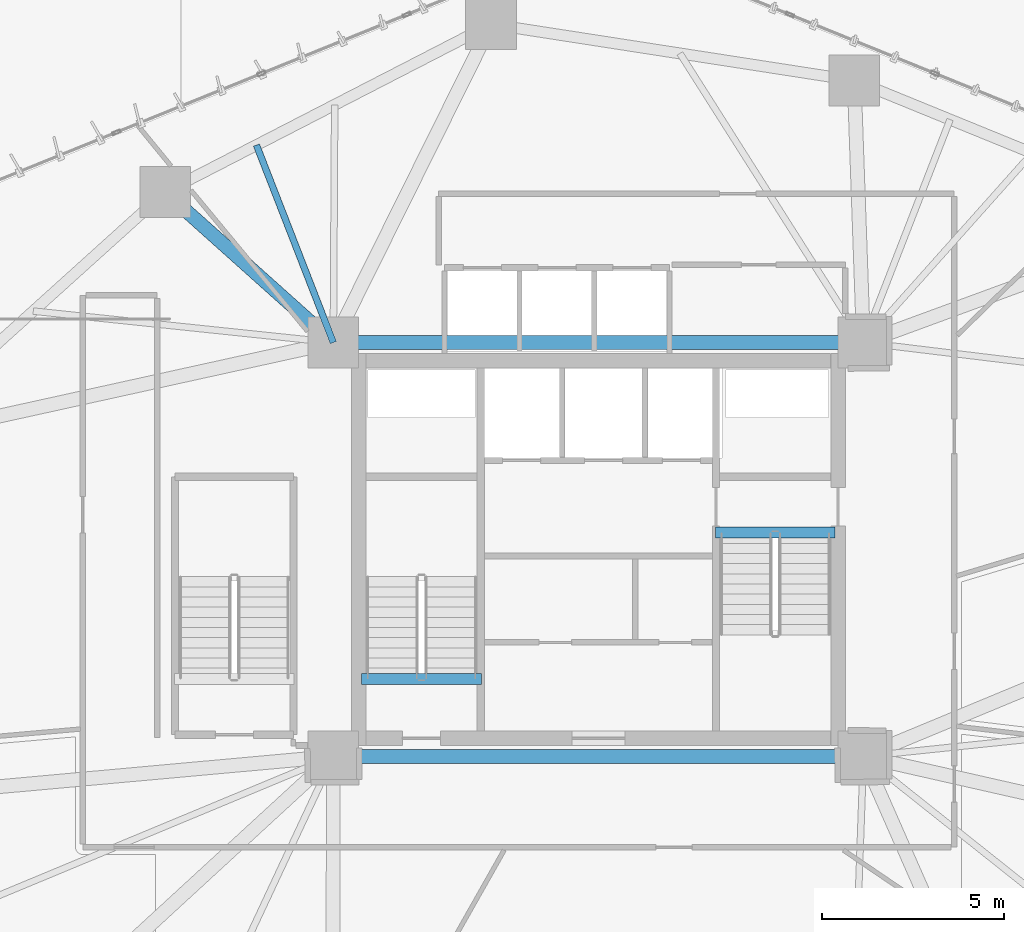
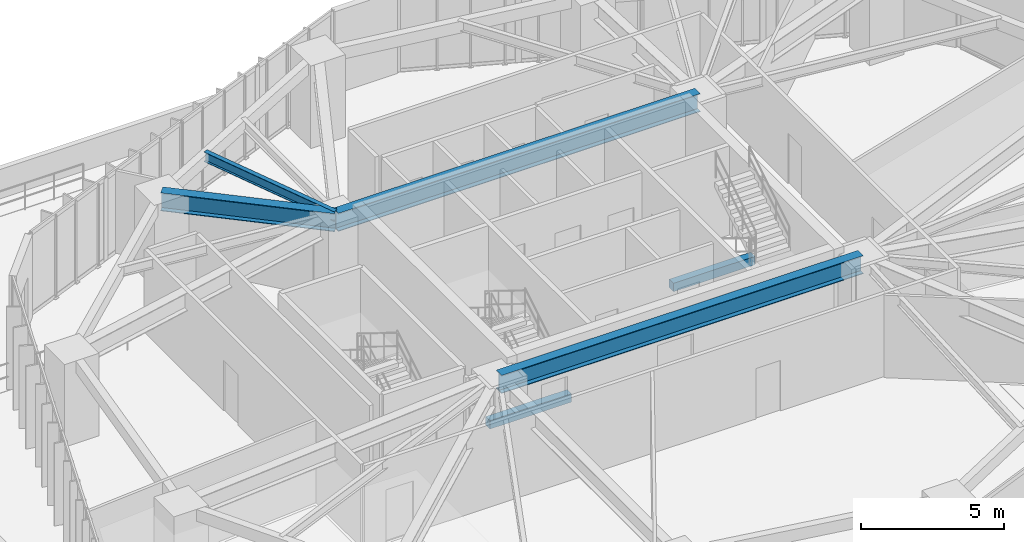
# One storey, part 8 of 23: 6 beams.
"""IFC4 building model written with IfcOpenShell, lengths in metres."""

from ifc_helpers import new_model, si_unit, direction, frame, origin, origin_2d, place, context, subcontext, project, spatial, rectangle, i_section, extrude, material, material_profile, profile_set, type_object, element, save


model = new_model("IFC4")

# Units and contexts
model_context = context("Model", 3, precision=1e-05, world=origin(), true_north=direction((0.0, 1.0)))
body_context = subcontext(model_context, "Body", "Model", "MODEL_VIEW")
ifc_project = project(units=[si_unit("LENGTHUNIT", "METRE"), si_unit("AREAUNIT", "SQUARE_METRE"), si_unit("VOLUMEUNIT", "CUBIC_METRE"), si_unit("PLANEANGLEUNIT", "RADIAN"), si_unit("MASSUNIT", "GRAM", prefix="KILO")], contexts=[model_context])

# Site, building, storey
site_placement = place(None, origin())
site = spatial("IfcSite", under=ifc_project, at=site_placement, CompositionType="ELEMENT")
building_placement = place(site_placement, origin())
building = spatial("IfcBuilding", under=site, at=building_placement, Name="Talar Marvaseh", CompositionType="ELEMENT")
storey_placement = place(building_placement, frame((0.0, 0.0, 24.0)))
storey = spatial("IfcBuildingStorey", under=building, at=storey_placement, Name="L05", CompositionType="ELEMENT", Elevation=24.0)

# Beams
ifc_material_1 = material(Name="Concrete C40/50", Category="concrete")
ifc_material_profile_1 = material_profile(ifc_material_1, rectangle(XDim=0.300048828125, YDim=0.360107421875, at=origin_2d()), Name="RC300x360")
ifc_profile_set_1 = profile_set([ifc_material_profile_1], Name="Concrete C40/50")
beam_type_1 = type_object("IfcBeamType", Name="Concrete Stair Landing Trimmer Beam RC300x360", PredefinedType="SPANDREL", material=ifc_profile_set_1)
for number, where, z_axis, x_axis, name in (
    (1, (22.780029296875, 27.6298828125, -0.179931640625), (-1.0, 0.0, 0.0), (0.0, -1.0, 0.0), "L05 ST-1 Stair Nosing Trimmer Beam"),
    (2, (29.219970703125, 31.669921875, -0.179931640625), (1.0, 0.0, 0.0), (0.0, 1.0, 0.0), "L05 ST-2 Stair Nosing Trimmer Beam"),
):
    element("IfcBeam", number, at=place(storey_placement, frame(where, z_axis=z_axis, x_axis=x_axis)), inside=storey, type_object=beam_type_1, Name=name, PredefinedType="SPANDREL", context=body_context, shape_type="SweptSolid", body=[
        extrude(rectangle(XDim=0.300048828125, YDim=0.360107421875, at=origin_2d()), origin(), (0.0, 0.0, 1.0), 3.300048828125),
    ])
ifc_material_2 = material(Name="Steel S355", Category="steel")
ifc_material_profile_2 = material_profile(ifc_material_2, i_section(OverallWidth=0.381103515625, OverallDepth=0.77294921875, WebThickness=0.0166015625, FlangeThickness=0.027099609375, at=origin_2d()), Name="W760x257")
ifc_profile_set_2 = profile_set([ifc_material_profile_2], Name="Steel S355")
beam_type_2 = type_object("IfcBeamType", Name="Zone 1 Radial Floor Girder W760x257", PredefinedType="BEAM", material=ifc_profile_set_2)
for number, where, z_axis, x_axis, name in (
    (3, (18.699951171875, 25.5, 3.133544921875), (1.0, 0.0, 0.0), (0.0, 1.0, 0.0), "L05 Zone 1 Radial Floor Girder W760x257"),
    (4, (18.699951171875, 36.89990234375, 3.133544921875), (1.0, 0.0, 0.0), (0.0, 1.0, 0.0), "L05 Zone 1 Radial Floor Girder W760x257"),
):
    element("IfcBeam", number, at=place(storey_placement, frame(where, z_axis=z_axis, x_axis=x_axis)), inside=storey, type_object=beam_type_2, Name=name, PredefinedType="BEAM", context=body_context, shape_type="SweptSolid", body=[
        extrude(i_section(OverallWidth=0.381103515625, OverallDepth=0.77294921875, WebThickness=0.0166015625, FlangeThickness=0.027099609375, at=origin_2d()), origin(), (0.0, 0.0, 1.0), 14.60009765625),
    ])
beam_1_placement = place(storey_placement, frame((14.069091796875, 41.04296875, 3.133544921875), z_axis=(0.745268030676, -0.666764997921, 0.0), x_axis=(0.666764997921, 0.745268030676, 0.0)))
element("IfcBeam", 5, at=beam_1_placement, inside=storey, type_object=beam_type_2, Name="L05 Zone 1 Radial Floor Girder W760x257", PredefinedType="BEAM", context=body_context, shape_type="SweptSolid", body=[
    extrude(i_section(OverallWidth=0.381103515625, OverallDepth=0.77294921875, WebThickness=0.0166015625, FlangeThickness=0.027099609375, at=origin_2d()), origin(), (0.0, 0.0, 1.0), 6.213623046875),
])
ifc_material_profile_3 = material_profile(ifc_material_2, i_section(OverallWidth=0.179931640625, OverallDepth=0.4130859375, WebThickness=0.009765625, FlangeThickness=0.01611328125, at=origin_2d()), Name="W410x75")
ifc_profile_set_3 = profile_set([ifc_material_profile_3], Name="Steel S355")
beam_type_3 = type_object("IfcBeamType", Name="Zone 1 Secondary Floor Joist W410x75", PredefinedType="JOIST", material=ifc_profile_set_3)
beam_2_placement = place(storey_placement, frame((16.582763671875, 42.337646484375, 3.3134765625), z_axis=(0.362819746189, -0.931859341197, 0.0), x_axis=(0.931859341197, 0.362819746189, 0.0)))
element("IfcBeam", 6, at=beam_2_placement, inside=storey, type_object=beam_type_3, Name="L05 Zone 1 Secondary Floor Joist W410x75", PredefinedType="JOIST", context=body_context, shape_type="SweptSolid", body=[
    extrude(i_section(OverallWidth=0.179931640625, OverallDepth=0.4130859375, WebThickness=0.009765625, FlangeThickness=0.01611328125, at=origin_2d()), origin(), (0.0, 0.0, 1.0), 5.83544921875),
])

save(model, "model.ifc")
